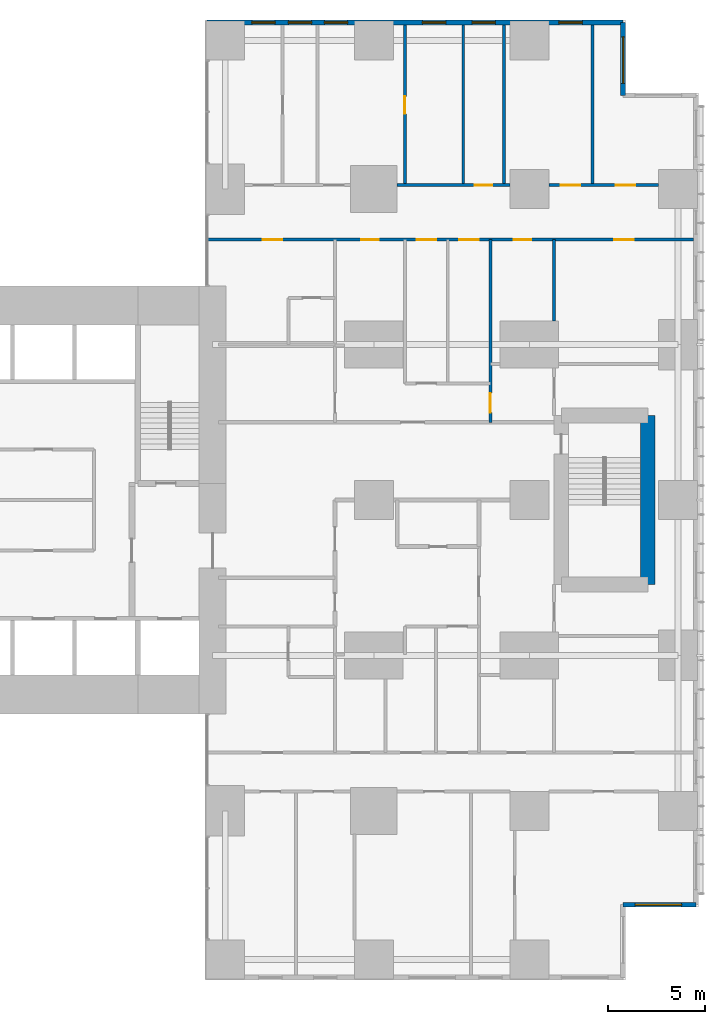
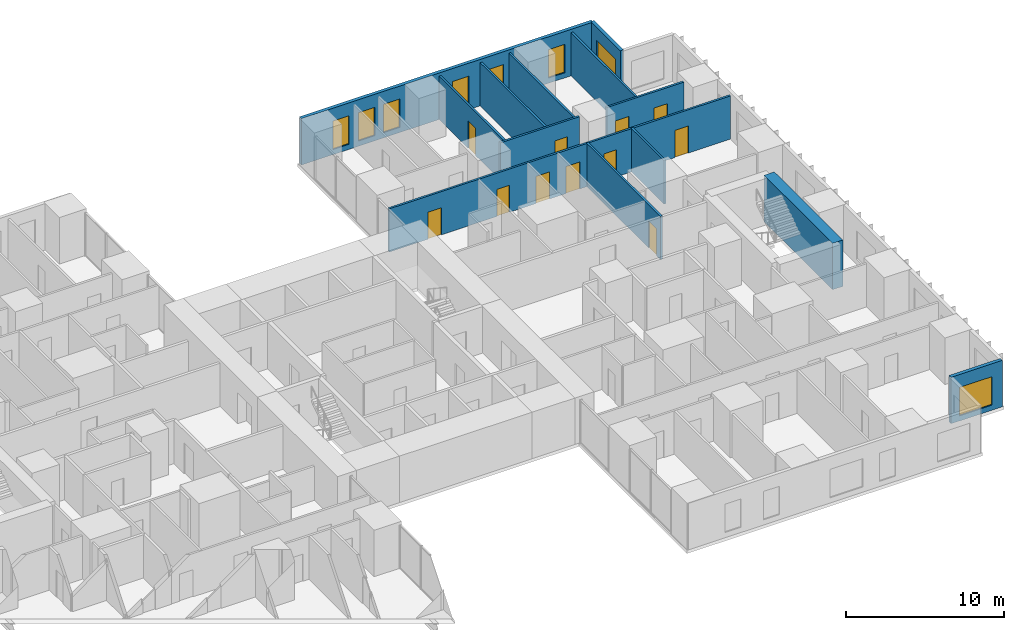
# One storey, part 18 of 20: 13 walls, 11 doors, 8 windows, 19 openings.
"""IFC4 building model written with IfcOpenShell, lengths in metres."""

import ifcopenshell
import ifcopenshell.guid

model = None  # the IFC model being written
_history = None  # IfcOwnerHistory: only IFC2X3 demands one
_inside = {}  # id of a spatial element -> (the spatial element, [elements in it])
_under = {}  # id of a project, library or spatial element -> (it, [spatial elements below it])
_declared = {}  # id of a project -> (the project, [libraries it declares])
_typed = {}  # id of a type object -> (the type object, [elements of that type])
_made_of = {}  # id of a material, layer set ... -> (it, [elements and type objects made of it])


def new_model(schema):
    """Start an empty IFC model of exactly this schema.

    Asked for "IFC4X3", IfcOpenShell would pick the latest addendum, in which some entities
    have other attributes; the version numbers below select the first issue.
    IFC2X3 requires an IfcOwnerHistory on every rooted entity: one is made here for all.
    """
    global model, _history
    if schema == "IFC4X3":
        model = ifcopenshell.file(schema_version=(4, 3, 0, 0))
    else:
        model = ifcopenshell.file(schema=schema)
    _inside.clear()
    _under.clear()
    _declared.clear()
    _typed.clear()
    _made_of.clear()
    _history = None
    if model.schema == "IFC2X3":
        org = make("IfcOrganization", Name="unknown")
        user = make(
            "IfcPersonAndOrganization",
            ThePerson=make("IfcPerson", FamilyName="unknown"),
            TheOrganization=org,
        )
        app = make(
            "IfcApplication",
            ApplicationDeveloper=org,
            Version="unknown",
            ApplicationFullName="unknown",
            ApplicationIdentifier="unknown",
        )
        _history = make(
            "IfcOwnerHistory",
            OwningUser=user,
            OwningApplication=app,
            ChangeAction="ADDED",
            CreationDate=0,
        )
    return model


def make(cls, **values):
    """One entity of the class cls with the attributes given. An attribute that is None is left unset."""
    return model.create_entity(
        cls, **{name: value for name, value in values.items() if value is not None}
    )


def rooted(cls, **values):
    """An entity with a GlobalId (a new one), such as an element, a storey or a relation."""
    return make(cls, GlobalId=ifcopenshell.guid.new(), OwnerHistory=_history, **values)


def si_unit(unit_type, name, prefix=None):
    """IfcSIUnit, for example si_unit("LENGTHUNIT", "METRE", prefix="MILLI")."""
    return make("IfcSIUnit", UnitType=unit_type, Prefix=prefix, Name=name)


def assignment(units):
    """IfcUnitAssignment: the units of a project."""
    return None if units is None else make("IfcUnitAssignment", Units=units)


def point(xyz):
    """IfcCartesianPoint."""
    return None if xyz is None else make("IfcCartesianPoint", Coordinates=xyz)


def direction(xyz):
    """IfcDirection."""
    return None if xyz is None else make("IfcDirection", DirectionRatios=xyz)


def frame(location, z_axis=None, x_axis=None):
    """IfcAxis2Placement3D, a coordinate frame: its origin and axes. An axis left out is left unset."""
    return make(
        "IfcAxis2Placement3D",
        Location=point(location),
        Axis=direction(z_axis),
        RefDirection=direction(x_axis),
    )


def frame_2d(location, x_axis=None):
    """IfcAxis2Placement2D, a coordinate frame in the plane: its origin and x axis."""
    return make(
        "IfcAxis2Placement2D", Location=point(location), RefDirection=direction(x_axis)
    )


def origin():
    """The frame at (0, 0, 0) with its axes left unset."""
    return frame((0.0, 0.0, 0.0))


def place(relative_to, where):
    """IfcLocalPlacement: puts the frame where relative to a parent placement (None: the world)."""
    return make(
        "IfcLocalPlacement", PlacementRelTo=relative_to, RelativePlacement=where
    )


def context(
    kind, dimensions, precision=None, world=None, true_north=None, identifier=None
):
    """IfcGeometricRepresentationContext, for example the 3D "Model" context."""
    return make(
        "IfcGeometricRepresentationContext",
        ContextIdentifier=identifier,
        ContextType=kind,
        CoordinateSpaceDimension=dimensions,
        Precision=precision,
        WorldCoordinateSystem=world,
        TrueNorth=true_north,
    )


def subcontext(parent, identifier, kind, view, scale=None):
    """IfcGeometricRepresentationSubContext, for example "Body" below "Model"."""
    return make(
        "IfcGeometricRepresentationSubContext",
        ContextIdentifier=identifier,
        ContextType=kind,
        ParentContext=parent,
        TargetScale=scale,
        TargetView=view,
    )


def project(units=None, contexts=None):
    """IfcProject with its units and contexts."""
    return rooted(
        "IfcProject",
        Name="project",
        RepresentationContexts=contexts,
        UnitsInContext=assignment(units),
    )


def spatial(cls, under=None, at=None, **own):
    """A site, building, storey or space (cls), placed at a placement, below another one or the project."""
    s = rooted(cls, ObjectPlacement=at, **own)
    if under is not None:
        _under.setdefault(under.id(), (under, []))[1].append(s)
    return s


def profile(cls, at=None, kind="AREA", **sizes):
    """A parametric profile (cls). Its sizes go by their IFC names, for example OverallWidth=200.0."""
    return make(cls, ProfileType=kind, Position=at, **sizes)


def rectangle(**sizes):
    """IfcRectangleProfileDef."""
    return profile("IfcRectangleProfileDef", **sizes)


def extrude(swept, where, along, depth):
    """IfcExtrudedAreaSolid: the profile swept, set in the frame where, extruded along a direction by depth."""
    return make(
        "IfcExtrudedAreaSolid",
        SweptArea=swept,
        Position=where,
        ExtrudedDirection=direction(along),
        Depth=depth,
    )


def shape(context_of_items, identifier, shape_type, items):
    """IfcShapeRepresentation: the items that make up one representation, for example the "Body"."""
    return make(
        "IfcShapeRepresentation",
        ContextOfItems=context_of_items,
        RepresentationIdentifier=identifier,
        RepresentationType=shape_type,
        Items=items,
    )


def material(Name=None, Category=None):
    """IfcMaterial."""
    return make("IfcMaterial", Name=Name, Category=Category)


def layer(
    of_material, thickness, ventilated=None, Name=None, Category=None, Priority=None
):
    """IfcMaterialLayer: one layer of a wall or slab, of a material (None: an air gap)."""
    return make(
        "IfcMaterialLayer",
        Material=of_material,
        LayerThickness=thickness,
        IsVentilated=ventilated,
        Name=Name,
        Category=Category,
        Priority=Priority,
    )


def layer_set(layers, Name=None):
    """IfcMaterialLayerSet."""
    return make("IfcMaterialLayerSet", MaterialLayers=layers, LayerSetName=Name)


def made_of(thing, what):
    """Note that an element or type object is made of a material, layer set ...; save() writes the relation."""
    if what is not None:
        _made_of.setdefault(what.id(), (what, []))[1].append(thing)
    return thing


def type_object(cls, material=None, **own):
    """A type object (cls), such as IfcWallType, which elements share."""
    return made_of(rooted(cls, **own), material)


def element(
    cls,
    number,
    at=None,
    inside=None,
    cuts=None,
    type_object=None,
    material=None,
    context=None,
    identifier="Body",
    shape_type=None,
    held_by="IfcProductDefinitionShape",
    body=None,
    shapes=None,
    **own,
):
    """One element of the class cls, such as IfcWall. Its Tag is "e" and its number.

    at: its placement. inside: the storey or other place that contains it. cuts: it is an
    opening in that element (IfcRelVoidsElement). A single representation is given by context,
    identifier, shape_type and body (its items); several are given by shapes. held_by: the class
    of the entity that holds the representations. save() writes the other relations.
    """
    e = rooted(cls, Tag="e%d" % number, ObjectPlacement=at, **own)
    if body is not None:
        shapes = [shape(context, identifier, shape_type, body)]
    if shapes is not None:
        e.Representation = make(held_by, Representations=shapes)
    if inside is not None:
        _inside.setdefault(inside.id(), (inside, []))[1].append(e)
    if cuts is not None:
        rooted(
            "IfcRelVoidsElement", RelatingBuildingElement=cuts, RelatedOpeningElement=e
        )
    if type_object is not None:
        _typed.setdefault(type_object.id(), (type_object, []))[1].append(e)
    return made_of(e, material)


def fill(opening, filler):
    """IfcRelFillsElement: the door or window that sits in an opening."""
    return rooted(
        "IfcRelFillsElement",
        RelatingOpeningElement=opening,
        RelatedBuildingElement=filler,
    )


def aggregate(whole, parts):
    """IfcRelAggregates: a whole, such as a stair, and the parts it consists of."""
    return rooted("IfcRelAggregates", RelatingObject=whole, RelatedObjects=parts)


def save(model, path):
    """Write the relations noted so far, then the file.

    IfcRelAggregates (storeys below a building ...), IfcRelContainedInSpatialStructure (elements
    in a storey), IfcRelDefinesByType, IfcRelAssociatesMaterial and IfcRelDeclares: one each for
    every whole, place, type object, material and project.
    """
    for whole, parts in _under.values():
        aggregate(whole, parts)
    for where, things in _inside.values():
        rooted(
            "IfcRelContainedInSpatialStructure",
            RelatedElements=things,
            RelatingStructure=where,
        )
    for kind, things in _typed.values():
        rooted("IfcRelDefinesByType", RelatedObjects=things, RelatingType=kind)
    for what, things in _made_of.values():
        rooted("IfcRelAssociatesMaterial", RelatedObjects=things, RelatingMaterial=what)
    for by, libraries in _declared.values():
        rooted("IfcRelDeclares", RelatingContext=by, RelatedDefinitions=libraries)
    model.write(path)


model = new_model("IFC4")

# Units and contexts
model_context = context("Model", 3, precision=1e-05, world=origin(), true_north=direction((0.0, 1.0)))
body_context = subcontext(model_context, "Body", "Model", "MODEL_VIEW")
ifc_project = project(units=[si_unit("LENGTHUNIT", "METRE"), si_unit("AREAUNIT", "SQUARE_METRE"), si_unit("VOLUMEUNIT", "CUBIC_METRE"), si_unit("PLANEANGLEUNIT", "RADIAN"), si_unit("MASSUNIT", "GRAM", prefix="KILO")], contexts=[model_context])

# Site, building, storey
site_placement = place(None, origin())
site = spatial("IfcSite", under=ifc_project, at=site_placement, CompositionType="ELEMENT")
building_placement = place(site_placement, origin())
building = spatial("IfcBuilding", under=site, at=building_placement, Name="Cleftline Residences", CompositionType="ELEMENT")
storey_placement = place(building_placement, frame((0.0, 0.0, 157.39990234375)))
storey = spatial("IfcBuildingStorey", under=building, at=storey_placement, Name="L41", CompositionType="ELEMENT", Elevation=157.39990234375)

# Wall, opening, window
ifc_material_1 = material(Name="Rendered reinforced concrete blockwork", Category="masonry")
ifc_layer_1 = layer(ifc_material_1, 0.25)
ifc_layer_set_1 = layer_set([ifc_layer_1], Name="EXTERNAL WALL 250")
wall_type_1 = type_object("IfcWallType", Name="EXTERNAL WALL 250", PredefinedType="SOLIDWALL", material=ifc_layer_set_1)
wall_1_placement = place(storey_placement, frame((62.824951171875, 3.175048828125, 0.0), z_axis=(0.0, 0.0, 1.0), x_axis=(1.0, 0.0, 0.0)))
wall_1 = element("IfcWall", 1, at=wall_1_placement, inside=storey, type_object=wall_type_1, Name="External wall", PredefinedType="SOLIDWALL", context=body_context, shape_type="SweptSolid", body=[
    extrude(rectangle(XDim=3.75, YDim=0.25, at=frame_2d((1.875, 0.0))), origin(), (0.0, 0.0, 1.0), 3.60009765625),
])
opening_1_placement = place(wall_1_placement, frame((0.612548828125, 0.0, 0.39990234375)))
opening_1 = element("IfcOpeningElement", 2, at=opening_1_placement, cuts=wall_1, Name="Opening W12", PredefinedType="OPENING", context=body_context, shape_type="SweptSolid", body=[
    extrude(rectangle(XDim=2.39990234375, YDim=2.199951171875, at=frame_2d((1.199951171875, 1.10009765625))), frame((0.0, 0.135009765625, 0.0), z_axis=(0.0, -1.0, 0.0), x_axis=(1.0, 0.0, 0.0)), (0.0, 0.0, 1.0), 0.27001953125),
])
ifc_material_2 = material(Name="Aluminium frame, clear double glazing", Category="aluminium")
window_type_1 = type_object("IfcWindowType", Name="WINDOW 2400X2200", PartitioningType="DOUBLE_PANEL_VERTICAL", PredefinedType="WINDOW", material=ifc_material_2)
window_1_placement = place(opening_1_placement, origin())
window_1 = element("IfcWindow", 3, at=window_1_placement, inside=storey, type_object=window_type_1, Name="Window", OverallHeight=2.199951171875, OverallWidth=2.39990234375, PartitioningType="SINGLE_PANEL", PredefinedType="WINDOW", context=body_context, shape_type="SweptSolid", body=[
    extrude(rectangle(XDim=2.39990234375, YDim=2.199951171875, at=frame_2d((1.199951171875, 1.10009765625))), frame((0.0, 0.030029296875, 0.0), z_axis=(0.0, -1.0, 0.0), x_axis=(1.0, 0.0, 0.0)), (0.0, 0.0, 1.0), 0.06005859375),
])
fill(opening_1, window_1)

wall_2_placement = place(storey_placement, frame((62.824951171875, 44.824951171875, 0.0), z_axis=(0.0, 0.0, 1.0), x_axis=(0.0, 1.0, 0.0)))
wall_2 = element("IfcWall", 4, at=wall_2_placement, inside=storey, type_object=wall_type_1, Name="External wall", PredefinedType="SOLIDWALL", context=body_context, shape_type="SweptSolid", body=[
    extrude(rectangle(XDim=3.75, YDim=0.25, at=frame_2d((1.875, 0.0))), origin(), (0.0, 0.0, 1.0), 3.60009765625),
])
opening_2_placement = place(wall_2_placement, frame((0.612548828125, 0.0, 0.39990234375)))
opening_2 = element("IfcOpeningElement", 5, at=opening_2_placement, cuts=wall_2, Name="Opening W12", PredefinedType="OPENING", context=body_context, shape_type="SweptSolid", body=[
    extrude(rectangle(XDim=2.39990234375, YDim=2.199951171875, at=frame_2d((1.199951171875, 1.10009765625))), frame((0.0, 0.135009765625, 0.0), z_axis=(0.0, -1.0, 0.0), x_axis=(1.0, 0.0, 0.0)), (0.0, 0.0, 1.0), 0.27001953125),
])
window_2_placement = place(opening_2_placement, origin())
window_2 = element("IfcWindow", 6, at=window_2_placement, inside=storey, type_object=window_type_1, Name="Window", OverallHeight=2.199951171875, OverallWidth=2.39990234375, PartitioningType="SINGLE_PANEL", PredefinedType="WINDOW", context=body_context, shape_type="SweptSolid", body=[
    extrude(rectangle(XDim=2.39990234375, YDim=2.199951171875, at=frame_2d((1.199951171875, 1.10009765625))), frame((0.0, 0.030029296875, 0.0), z_axis=(0.0, -1.0, 0.0), x_axis=(1.0, 0.0, 0.0)), (0.0, 0.0, 1.0), 0.06005859375),
])
fill(opening_2, window_2)

# Wall, openings, windows
wall_3_placement = place(storey_placement, frame((62.824951171875, 48.574951171875, 0.0), z_axis=(0.0, 0.0, 1.0), x_axis=(-1.0, 0.0, 0.0)))
wall_3 = element("IfcWall", 7, at=wall_3_placement, inside=storey, type_object=wall_type_1, Name="External wall", PredefinedType="SOLIDWALL", context=body_context, shape_type="SweptSolid", body=[
    extrude(rectangle(XDim=21.39990234375, YDim=0.25, at=frame_2d((10.699951171875, 0.0))), origin(), (0.0, 0.0, 1.0), 3.60009765625),
])
opening_3_placement = place(wall_3_placement, frame((2.10009765625, 0.0, 0.39990234375)))
opening_3 = element("IfcOpeningElement", 8, at=opening_3_placement, cuts=wall_3, Name="Opening W11", PredefinedType="OPENING", context=body_context, shape_type="SweptSolid", body=[
    extrude(rectangle(XDim=1.199951171875, YDim=2.199951171875, at=frame_2d((0.60009765625, 1.10009765625))), frame((0.0, 0.135009765625, 0.0), z_axis=(0.0, -1.0, 0.0), x_axis=(1.0, 0.0, 0.0)), (0.0, 0.0, 1.0), 0.27001953125),
])
opening_4_placement = place(wall_3_placement, frame((6.574951171875, 0.0, 0.39990234375)))
opening_4 = element("IfcOpeningElement", 9, at=opening_4_placement, cuts=wall_3, Name="Opening W11", PredefinedType="OPENING", context=body_context, shape_type="SweptSolid", body=[
    extrude(rectangle(XDim=1.199951171875, YDim=2.199951171875, at=frame_2d((0.60009765625, 1.10009765625))), frame((0.0, 0.135009765625, 0.0), z_axis=(0.0, -1.0, 0.0), x_axis=(1.0, 0.0, 0.0)), (0.0, 0.0, 1.0), 0.27001953125),
])
opening_5_placement = place(wall_3_placement, frame((9.125, 0.0, 0.39990234375)))
opening_5 = element("IfcOpeningElement", 10, at=opening_5_placement, cuts=wall_3, Name="Opening W11", PredefinedType="OPENING", context=body_context, shape_type="SweptSolid", body=[
    extrude(rectangle(XDim=1.199951171875, YDim=2.199951171875, at=frame_2d((0.60009765625, 1.10009765625))), frame((0.0, 0.135009765625, 0.0), z_axis=(0.0, -1.0, 0.0), x_axis=(1.0, 0.0, 0.0)), (0.0, 0.0, 1.0), 0.27001953125),
])
opening_6_placement = place(wall_3_placement, frame((14.175048828125, 0.0, 0.39990234375)))
opening_6 = element("IfcOpeningElement", 11, at=opening_6_placement, cuts=wall_3, Name="Opening W11", PredefinedType="OPENING", context=body_context, shape_type="SweptSolid", body=[
    extrude(rectangle(XDim=1.199951171875, YDim=2.199951171875, at=frame_2d((0.60009765625, 1.10009765625))), frame((0.0, 0.135009765625, 0.0), z_axis=(0.0, -1.0, 0.0), x_axis=(1.0, 0.0, 0.0)), (0.0, 0.0, 1.0), 0.27001953125),
])
opening_7_placement = place(wall_3_placement, frame((16.02490234375, 0.0, 0.39990234375)))
opening_7 = element("IfcOpeningElement", 12, at=opening_7_placement, cuts=wall_3, Name="Opening W11", PredefinedType="OPENING", context=body_context, shape_type="SweptSolid", body=[
    extrude(rectangle(XDim=1.199951171875, YDim=2.199951171875, at=frame_2d((0.60009765625, 1.10009765625))), frame((0.0, 0.135009765625, 0.0), z_axis=(0.0, -1.0, 0.0), x_axis=(1.0, 0.0, 0.0)), (0.0, 0.0, 1.0), 0.27001953125),
])
opening_8_placement = place(wall_3_placement, frame((17.89990234375, 0.0, 0.39990234375)))
opening_8 = element("IfcOpeningElement", 13, at=opening_8_placement, cuts=wall_3, Name="Opening W11", PredefinedType="OPENING", context=body_context, shape_type="SweptSolid", body=[
    extrude(rectangle(XDim=1.199951171875, YDim=2.199951171875, at=frame_2d((0.60009765625, 1.10009765625))), frame((0.0, 0.135009765625, 0.0), z_axis=(0.0, -1.0, 0.0), x_axis=(1.0, 0.0, 0.0)), (0.0, 0.0, 1.0), 0.27001953125),
])
ifc_material_3 = material(Name="Aluminium frame, clear double glazing", Category="aluminium")
window_type_2 = type_object("IfcWindowType", Name="WINDOW 1200X2200", PartitioningType="DOUBLE_PANEL_VERTICAL", PredefinedType="WINDOW", material=ifc_material_3)
window_3_placement = place(opening_3_placement, origin())
window_3 = element("IfcWindow", 14, at=window_3_placement, inside=storey, type_object=window_type_2, Name="Window", OverallHeight=2.199951171875, OverallWidth=1.199951171875, PartitioningType="SINGLE_PANEL", PredefinedType="WINDOW", context=body_context, shape_type="SweptSolid", body=[
    extrude(rectangle(XDim=1.199951171875, YDim=2.199951171875, at=frame_2d((0.60009765625, 1.10009765625))), frame((0.0, 0.030029296875, 0.0), z_axis=(0.0, -1.0, 0.0), x_axis=(1.0, 0.0, 0.0)), (0.0, 0.0, 1.0), 0.06005859375),
])
fill(opening_3, window_3)
window_4_placement = place(opening_4_placement, origin())
window_4 = element("IfcWindow", 15, at=window_4_placement, inside=storey, type_object=window_type_2, Name="Window", OverallHeight=2.199951171875, OverallWidth=1.199951171875, PartitioningType="SINGLE_PANEL", PredefinedType="WINDOW", context=body_context, shape_type="SweptSolid", body=[
    extrude(rectangle(XDim=1.199951171875, YDim=2.199951171875, at=frame_2d((0.60009765625, 1.10009765625))), frame((0.0, 0.030029296875, 0.0), z_axis=(0.0, -1.0, 0.0), x_axis=(1.0, 0.0, 0.0)), (0.0, 0.0, 1.0), 0.06005859375),
])
fill(opening_4, window_4)
window_5_placement = place(opening_5_placement, origin())
window_5 = element("IfcWindow", 16, at=window_5_placement, inside=storey, type_object=window_type_2, Name="Window", OverallHeight=2.199951171875, OverallWidth=1.199951171875, PartitioningType="SINGLE_PANEL", PredefinedType="WINDOW", context=body_context, shape_type="SweptSolid", body=[
    extrude(rectangle(XDim=1.199951171875, YDim=2.199951171875, at=frame_2d((0.60009765625, 1.10009765625))), frame((0.0, 0.030029296875, 0.0), z_axis=(0.0, -1.0, 0.0), x_axis=(1.0, 0.0, 0.0)), (0.0, 0.0, 1.0), 0.06005859375),
])
fill(opening_5, window_5)
window_6_placement = place(opening_6_placement, origin())
window_6 = element("IfcWindow", 17, at=window_6_placement, inside=storey, type_object=window_type_2, Name="Window", OverallHeight=2.199951171875, OverallWidth=1.199951171875, PartitioningType="SINGLE_PANEL", PredefinedType="WINDOW", context=body_context, shape_type="SweptSolid", body=[
    extrude(rectangle(XDim=1.199951171875, YDim=2.199951171875, at=frame_2d((0.60009765625, 1.10009765625))), frame((0.0, 0.030029296875, 0.0), z_axis=(0.0, -1.0, 0.0), x_axis=(1.0, 0.0, 0.0)), (0.0, 0.0, 1.0), 0.06005859375),
])
fill(opening_6, window_6)
window_7_placement = place(opening_7_placement, origin())
window_7 = element("IfcWindow", 18, at=window_7_placement, inside=storey, type_object=window_type_2, Name="Window", OverallHeight=2.199951171875, OverallWidth=1.199951171875, PartitioningType="SINGLE_PANEL", PredefinedType="WINDOW", context=body_context, shape_type="SweptSolid", body=[
    extrude(rectangle(XDim=1.199951171875, YDim=2.199951171875, at=frame_2d((0.60009765625, 1.10009765625))), frame((0.0, 0.030029296875, 0.0), z_axis=(0.0, -1.0, 0.0), x_axis=(1.0, 0.0, 0.0)), (0.0, 0.0, 1.0), 0.06005859375),
])
fill(opening_7, window_7)
window_8_placement = place(opening_8_placement, origin())
window_8 = element("IfcWindow", 19, at=window_8_placement, inside=storey, type_object=window_type_2, Name="Window", OverallHeight=2.199951171875, OverallWidth=1.199951171875, PartitioningType="SINGLE_PANEL", PredefinedType="WINDOW", context=body_context, shape_type="SweptSolid", body=[
    extrude(rectangle(XDim=1.199951171875, YDim=2.199951171875, at=frame_2d((0.60009765625, 1.10009765625))), frame((0.0, 0.030029296875, 0.0), z_axis=(0.0, -1.0, 0.0), x_axis=(1.0, 0.0, 0.0)), (0.0, 0.0, 1.0), 0.06005859375),
])
fill(opening_8, window_8)

# Wall, openings, doors
ifc_material_4 = material(Name="Gypsum board on steel studs", Category="steel")
ifc_layer_2 = layer(ifc_material_4, 0.14990234375)
ifc_layer_set_2 = layer_set([ifc_layer_2], Name="PARTITION 150")
wall_type_2 = type_object("IfcWallType", Name="PARTITION 150", PredefinedType="PARTITIONING", material=ifc_layer_set_2)
wall_4_placement = place(storey_placement, frame((41.43896484375, 37.39990234375, 0.0), z_axis=(0.0, 0.0, 1.0), x_axis=(1.0, 0.0, 0.0)))
wall_4 = element("IfcWall", 20, at=wall_4_placement, inside=storey, type_object=wall_type_2, Name="Partition", PredefinedType="PARTITIONING", context=body_context, shape_type="SweptSolid", body=[
    extrude(rectangle(XDim=25.010986328125, YDim=0.14990234375, at=frame_2d((12.50537109375, 0.0))), origin(), (0.0, 0.0, 1.0), 3.35009765625),
])
opening_9_placement = place(wall_4_placement, frame((10.760986328125, 0.0, 0.0)))
opening_9 = element("IfcOpeningElement", 21, at=opening_9_placement, cuts=wall_4, Name="Opening D2F30", PredefinedType="OPENING", context=body_context, shape_type="SweptSolid", body=[
    extrude(rectangle(XDim=1.0, YDim=2.10009765625, at=frame_2d((0.5, 1.050048828125))), frame((0.0, 0.0849609375, 0.0), z_axis=(0.0, -1.0, 0.0), x_axis=(1.0, 0.0, 0.0)), (0.0, 0.0, 1.0), 0.169921875),
])
opening_10_placement = place(wall_4_placement, frame((20.923583984375, 0.0, 0.0)))
opening_10 = element("IfcOpeningElement", 22, at=opening_10_placement, cuts=wall_4, Name="Opening D2F30", PredefinedType="OPENING", context=body_context, shape_type="SweptSolid", body=[
    extrude(rectangle(XDim=1.0, YDim=2.10009765625, at=frame_2d((0.5, 1.050048828125))), frame((0.0, 0.0849609375, 0.0), z_axis=(0.0, -1.0, 0.0), x_axis=(1.0, 0.0, 0.0)), (0.0, 0.0, 1.0), 0.169921875),
])
opening_11_placement = place(wall_4_placement, frame((15.74853515625, 0.0, 0.0)))
opening_11 = element("IfcOpeningElement", 23, at=opening_11_placement, cuts=wall_4, Name="Opening D1F30", PredefinedType="OPENING", context=body_context, shape_type="SweptSolid", body=[
    extrude(rectangle(XDim=0.89990234375, YDim=2.10009765625, at=frame_2d((0.449951171875, 1.050048828125))), frame((0.0, 0.0849609375, 0.0), z_axis=(0.0, -1.0, 0.0), x_axis=(1.0, 0.0, 0.0)), (0.0, 0.0, 1.0), 0.169921875),
])
opening_12_placement = place(wall_4_placement, frame((12.9609375, 0.0, 0.0)))
opening_12 = element("IfcOpeningElement", 24, at=opening_12_placement, cuts=wall_4, Name="Opening D2F30", PredefinedType="OPENING", context=body_context, shape_type="SweptSolid", body=[
    extrude(rectangle(XDim=1.0, YDim=2.10009765625, at=frame_2d((0.5, 1.050048828125))), frame((0.0, 0.0849609375, 0.0), z_axis=(0.0, -1.0, 0.0), x_axis=(1.0, 0.0, 0.0)), (0.0, 0.0, 1.0), 0.169921875),
])
opening_13_placement = place(wall_4_placement, frame((7.910888671875, 0.0, 0.0)))
opening_13 = element("IfcOpeningElement", 25, at=opening_13_placement, cuts=wall_4, Name="Opening D1F30", PredefinedType="OPENING", context=body_context, shape_type="SweptSolid", body=[
    extrude(rectangle(XDim=0.89990234375, YDim=2.10009765625, at=frame_2d((0.449951171875, 1.050048828125))), frame((0.0, 0.0849609375, 0.0), z_axis=(0.0, -1.0, 0.0), x_axis=(1.0, 0.0, 0.0)), (0.0, 0.0, 1.0), 0.169921875),
])
opening_14_placement = place(wall_4_placement, frame((2.8359375, 0.0, 0.0)))
opening_14 = element("IfcOpeningElement", 26, at=opening_14_placement, cuts=wall_4, Name="Opening D2F30", PredefinedType="OPENING", context=body_context, shape_type="SweptSolid", body=[
    extrude(rectangle(XDim=1.0, YDim=2.10009765625, at=frame_2d((0.5, 1.050048828125))), frame((0.0, 0.0849609375, 0.0), z_axis=(0.0, -1.0, 0.0), x_axis=(1.0, 0.0, 0.0)), (0.0, 0.0, 1.0), 0.169921875),
])
ifc_material_5 = material(Name="Timber veneer on solid core", Category="wood")
door_type_1 = type_object("IfcDoorType", Name="DOOR 1000X2100 EI 30", OperationType="SINGLE_SWING_LEFT", PredefinedType="DOOR", material=ifc_material_5)
door_1_placement = place(opening_9_placement, origin())
door_1 = element("IfcDoor", 27, at=door_1_placement, inside=storey, type_object=door_type_1, Name="Door to residence corridor (bedrooms)", OperationType="SINGLE_SWING_RIGHT", OverallHeight=2.10009765625, OverallWidth=1.0, PredefinedType="DOOR", context=body_context, shape_type="SweptSolid", body=[
    extrude(rectangle(XDim=1.0, YDim=2.10009765625, at=frame_2d((0.5, 1.050048828125))), frame((0.0, 0.02490234375, 0.0), z_axis=(0.0, -1.0, 0.0), x_axis=(1.0, 0.0, 0.0)), (0.0, 0.0, 1.0), 0.050048828125),
])
fill(opening_9, door_1)
door_2_placement = place(opening_10_placement, origin())
door_2 = element("IfcDoor", 28, at=door_2_placement, inside=storey, type_object=door_type_1, Name="Door to master bedroom", OperationType="SINGLE_SWING_LEFT", OverallHeight=2.10009765625, OverallWidth=1.0, PredefinedType="DOOR", context=body_context, shape_type="SweptSolid", body=[
    extrude(rectangle(XDim=1.0, YDim=2.10009765625, at=frame_2d((0.5, 1.050048828125))), frame((0.0, 0.02490234375, 0.0), z_axis=(0.0, -1.0, 0.0), x_axis=(1.0, 0.0, 0.0)), (0.0, 0.0, 1.0), 0.050048828125),
])
fill(opening_10, door_2)
door_3_placement = place(opening_12_placement, origin())
door_3 = element("IfcDoor", 29, at=door_3_placement, inside=storey, type_object=door_type_1, Name="Door to media room", OperationType="SINGLE_SWING_LEFT", OverallHeight=2.10009765625, OverallWidth=1.0, PredefinedType="DOOR", context=body_context, shape_type="SweptSolid", body=[
    extrude(rectangle(XDim=1.0, YDim=2.10009765625, at=frame_2d((0.5, 1.050048828125))), frame((0.0, 0.02490234375, 0.0), z_axis=(0.0, -1.0, 0.0), x_axis=(1.0, 0.0, 0.0)), (0.0, 0.0, 1.0), 0.050048828125),
])
fill(opening_12, door_3)
door_4_placement = place(opening_14_placement, origin())
door_4 = element("IfcDoor", 30, at=door_4_placement, inside=storey, type_object=door_type_1, Name="Door to staff bedroom", OperationType="SINGLE_SWING_RIGHT", OverallHeight=2.10009765625, OverallWidth=1.0, PredefinedType="DOOR", context=body_context, shape_type="SweptSolid", body=[
    extrude(rectangle(XDim=1.0, YDim=2.10009765625, at=frame_2d((0.5, 1.050048828125))), frame((0.0, 0.02490234375, 0.0), z_axis=(0.0, -1.0, 0.0), x_axis=(1.0, 0.0, 0.0)), (0.0, 0.0, 1.0), 0.050048828125),
])
fill(opening_14, door_4)
ifc_material_6 = material(Name="Timber veneer on solid core", Category="wood")
door_type_2 = type_object("IfcDoorType", Name="DOOR 900X2100 EI 30", OperationType="SINGLE_SWING_LEFT", PredefinedType="DOOR", material=ifc_material_6)
door_5_placement = place(opening_11_placement, origin())
door_5 = element("IfcDoor", 31, at=door_5_placement, inside=storey, type_object=door_type_2, Name="Door to master bathroom", OperationType="SINGLE_SWING_LEFT", OverallHeight=2.10009765625, OverallWidth=0.89990234375, PredefinedType="DOOR", context=body_context, shape_type="SweptSolid", body=[
    extrude(rectangle(XDim=0.89990234375, YDim=2.10009765625, at=frame_2d((0.449951171875, 1.050048828125))), frame((0.0, 0.02490234375, 0.0), z_axis=(0.0, -1.0, 0.0), x_axis=(1.0, 0.0, 0.0)), (0.0, 0.0, 1.0), 0.050048828125),
])
fill(opening_11, door_5)
door_6_placement = place(opening_13_placement, origin())
door_6 = element("IfcDoor", 32, at=door_6_placement, inside=storey, type_object=door_type_2, Name="Door to master dressing room", OperationType="SINGLE_SWING_RIGHT", OverallHeight=2.10009765625, OverallWidth=0.89990234375, PredefinedType="DOOR", context=body_context, shape_type="SweptSolid", body=[
    extrude(rectangle(XDim=0.89990234375, YDim=2.10009765625, at=frame_2d((0.449951171875, 1.050048828125))), frame((0.0, 0.02490234375, 0.0), z_axis=(0.0, -1.0, 0.0), x_axis=(1.0, 0.0, 0.0)), (0.0, 0.0, 1.0), 0.050048828125),
])
fill(opening_13, door_6)

# Wall, opening, door
wall_5_placement = place(storey_placement, frame((51.199951171875, 40.199951171875, 0.0), z_axis=(0.0, 0.0, 1.0), x_axis=(1.0, 0.0, 0.0)))
wall_5 = element("IfcWall", 33, at=wall_5_placement, inside=storey, type_object=wall_type_2, Name="Partition", PredefinedType="PARTITIONING", context=body_context, shape_type="SweptSolid", body=[
    extrude(rectangle(XDim=5.800048828125, YDim=0.14990234375, at=frame_2d((2.89990234375, 0.0))), origin(), (0.0, 0.0, 1.0), 3.35009765625),
])
opening_15_placement = place(wall_5_placement, frame((4.0, 0.0, 0.0)))
opening_15 = element("IfcOpeningElement", 34, at=opening_15_placement, cuts=wall_5, Name="Opening D1", PredefinedType="OPENING", context=body_context, shape_type="SweptSolid", body=[
    extrude(rectangle(XDim=0.89990234375, YDim=2.10009765625, at=frame_2d((0.449951171875, 1.050048828125))), frame((0.0, 0.0849609375, 0.0), z_axis=(0.0, -1.0, 0.0), x_axis=(1.0, 0.0, 0.0)), (0.0, 0.0, 1.0), 0.169921875),
])
ifc_material_7 = material(Name="Timber veneer on solid core", Category="wood")
door_type_3 = type_object("IfcDoorType", Name="DOOR 900X2100", OperationType="SINGLE_SWING_LEFT", PredefinedType="DOOR", material=ifc_material_7)
door_7_placement = place(opening_15_placement, origin())
door_7 = element("IfcDoor", 35, at=door_7_placement, inside=storey, type_object=door_type_3, Name="Door to bedroom 2 bathroom", OperationType="SINGLE_SWING_LEFT", OverallHeight=2.10009765625, OverallWidth=0.89990234375, PredefinedType="DOOR", context=body_context, shape_type="SweptSolid", body=[
    extrude(rectangle(XDim=0.89990234375, YDim=2.10009765625, at=frame_2d((0.449951171875, 1.050048828125))), frame((0.0, 0.02490234375, 0.0), z_axis=(0.0, -1.0, 0.0), x_axis=(1.0, 0.0, 0.0)), (0.0, 0.0, 1.0), 0.050048828125),
])
fill(opening_15, door_7)

# Wall, openings, doors
wall_6_placement = place(storey_placement, frame((59.0, 40.199951171875, 0.0), z_axis=(0.0, 0.0, 1.0), x_axis=(1.0, 0.0, 0.0)))
wall_6 = element("IfcWall", 36, at=wall_6_placement, inside=storey, type_object=wall_type_2, Name="Partition", PredefinedType="PARTITIONING", context=body_context, shape_type="SweptSolid", body=[
    extrude(rectangle(XDim=5.64990234375, YDim=0.14990234375, at=frame_2d((2.824951171875, 0.0))), origin(), (0.0, 0.0, 1.0), 3.35009765625),
])
opening_16_placement = place(wall_6_placement, frame((3.449951171875, 0.0, 0.0)))
opening_16 = element("IfcOpeningElement", 37, at=opening_16_placement, cuts=wall_6, Name="Opening D2", PredefinedType="OPENING", context=body_context, shape_type="SweptSolid", body=[
    extrude(rectangle(XDim=1.0, YDim=2.10009765625, at=frame_2d((0.5, 1.050048828125))), frame((0.0, 0.0849609375, 0.0), z_axis=(0.0, -1.0, 0.0), x_axis=(1.0, 0.0, 0.0)), (0.0, 0.0, 1.0), 0.169921875),
])
opening_17_placement = place(wall_6_placement, frame((0.625, 0.0, 0.0)))
opening_17 = element("IfcOpeningElement", 38, at=opening_17_placement, cuts=wall_6, Name="Opening D2", PredefinedType="OPENING", context=body_context, shape_type="SweptSolid", body=[
    extrude(rectangle(XDim=1.0, YDim=2.10009765625, at=frame_2d((0.5, 1.050048828125))), frame((0.0, 0.0849609375, 0.0), z_axis=(0.0, -1.0, 0.0), x_axis=(1.0, 0.0, 0.0)), (0.0, 0.0, 1.0), 0.169921875),
])
ifc_material_8 = material(Name="Timber veneer on solid core", Category="wood")
door_type_4 = type_object("IfcDoorType", Name="DOOR 1000X2100", OperationType="SINGLE_SWING_LEFT", PredefinedType="DOOR", material=ifc_material_8)
door_8_placement = place(opening_16_placement, origin())
door_8 = element("IfcDoor", 39, at=door_8_placement, inside=storey, type_object=door_type_4, Name="Door to bedroom 2 sitting room", OperationType="SINGLE_SWING_LEFT", OverallHeight=2.10009765625, OverallWidth=1.0, PredefinedType="DOOR", context=body_context, shape_type="SweptSolid", body=[
    extrude(rectangle(XDim=1.0, YDim=2.10009765625, at=frame_2d((0.5, 1.050048828125))), frame((0.0, 0.02490234375, 0.0), z_axis=(0.0, -1.0, 0.0), x_axis=(1.0, 0.0, 0.0)), (0.0, 0.0, 1.0), 0.050048828125),
])
fill(opening_16, door_8)
door_9_placement = place(opening_17_placement, origin())
door_9 = element("IfcDoor", 40, at=door_9_placement, inside=storey, type_object=door_type_4, Name="Door to bedroom 2", OperationType="SINGLE_SWING_RIGHT", OverallHeight=2.10009765625, OverallWidth=1.0, PredefinedType="DOOR", context=body_context, shape_type="SweptSolid", body=[
    extrude(rectangle(XDim=1.0, YDim=2.10009765625, at=frame_2d((0.5, 1.050048828125))), frame((0.0, 0.02490234375, 0.0), z_axis=(0.0, -1.0, 0.0), x_axis=(1.0, 0.0, 0.0)), (0.0, 0.0, 1.0), 0.050048828125),
])
fill(opening_17, door_9)

# Wall, opening, door
wall_7_placement = place(storey_placement, frame((51.60009765625, 40.199951171875, 0.0), z_axis=(0.0, 0.0, 1.0), x_axis=(0.0, 1.0, 0.0)))
wall_7 = element("IfcWall", 41, at=wall_7_placement, inside=storey, type_object=wall_type_2, Name="Partition", PredefinedType="PARTITIONING", context=body_context, shape_type="SweptSolid", body=[
    extrude(rectangle(XDim=8.25, YDim=0.14990234375, at=frame_2d((4.125, 0.0))), origin(), (0.0, 0.0, 1.0), 3.35009765625),
])
opening_18_placement = place(wall_7_placement, frame((3.675048828125, 0.0, 0.0)))
opening_18 = element("IfcOpeningElement", 42, at=opening_18_placement, cuts=wall_7, Name="Opening D1", PredefinedType="OPENING", context=body_context, shape_type="SweptSolid", body=[
    extrude(rectangle(XDim=0.89990234375, YDim=2.10009765625, at=frame_2d((0.449951171875, 1.050048828125))), frame((0.0, 0.0849609375, 0.0), z_axis=(0.0, -1.0, 0.0), x_axis=(1.0, 0.0, 0.0)), (0.0, 0.0, 1.0), 0.169921875),
])
door_10_placement = place(opening_18_placement, origin())
door_10 = element("IfcDoor", 43, at=door_10_placement, inside=storey, type_object=door_type_3, Name="Door to en-suite bathroom 3", OperationType="SINGLE_SWING_LEFT", OverallHeight=2.10009765625, OverallWidth=0.89990234375, PredefinedType="DOOR", context=body_context, shape_type="SweptSolid", body=[
    extrude(rectangle(XDim=0.89990234375, YDim=2.10009765625, at=frame_2d((0.449951171875, 1.050048828125))), frame((0.0, 0.02490234375, 0.0), z_axis=(0.0, -1.0, 0.0), x_axis=(1.0, 0.0, 0.0)), (0.0, 0.0, 1.0), 0.050048828125),
])
fill(opening_18, door_10)

# Wall
wall_8_placement = place(storey_placement, frame((54.60009765625, 40.199951171875, 0.0), z_axis=(0.0, 0.0, 1.0), x_axis=(0.0, 1.0, 0.0)))
element("IfcWall", 44, at=wall_8_placement, inside=storey, type_object=wall_type_2, Name="Partition", PredefinedType="PARTITIONING", context=body_context, shape_type="SweptSolid", body=[
    extrude(rectangle(XDim=8.25, YDim=0.14990234375, at=frame_2d((4.125, 0.0))), origin(), (0.0, 0.0, 1.0), 3.35009765625),
])

# Wall, opening, door
wall_9_placement = place(storey_placement, frame((56.0, 28.0, 0.0), z_axis=(0.0, 0.0, 1.0), x_axis=(0.0, 1.0, 0.0)))
wall_9 = element("IfcWall", 45, at=wall_9_placement, inside=storey, type_object=wall_type_2, Name="Partition", PredefinedType="PARTITIONING", context=body_context, shape_type="SweptSolid", body=[
    extrude(rectangle(XDim=9.39990234375, YDim=0.14990234375, at=frame_2d((4.699951171875, 0.0))), origin(), (0.0, 0.0, 1.0), 3.35009765625),
])
opening_19_placement = place(wall_9_placement, frame((0.5, 0.0, 0.0)))
opening_19 = element("IfcOpeningElement", 46, at=opening_19_placement, cuts=wall_9, Name="Opening D2F30", PredefinedType="OPENING", context=body_context, shape_type="SweptSolid", body=[
    extrude(rectangle(XDim=1.0, YDim=2.10009765625, at=frame_2d((0.5, 1.050048828125))), frame((0.0, 0.0849609375, 0.0), z_axis=(0.0, -1.0, 0.0), x_axis=(1.0, 0.0, 0.0)), (0.0, 0.0, 1.0), 0.169921875),
])
door_11_placement = place(opening_19_placement, origin())
door_11 = element("IfcDoor", 47, at=door_11_placement, inside=storey, type_object=door_type_1, Name="Door to residence lobby (service)", OperationType="SINGLE_SWING_RIGHT", OverallHeight=2.10009765625, OverallWidth=1.0, PredefinedType="DOOR", context=body_context, shape_type="SweptSolid", body=[
    extrude(rectangle(XDim=1.0, YDim=2.10009765625, at=frame_2d((0.5, 1.050048828125))), frame((0.0, 0.02490234375, 0.0), z_axis=(0.0, -1.0, 0.0), x_axis=(1.0, 0.0, 0.0)), (0.0, 0.0, 1.0), 0.050048828125),
])
fill(opening_19, door_11)

# Walls
wall_10_placement = place(storey_placement, frame((56.699951171875, 40.199951171875, 0.0), z_axis=(0.0, 0.0, 1.0), x_axis=(0.0, 1.0, 0.0)))
element("IfcWall", 48, at=wall_10_placement, inside=storey, type_object=wall_type_2, Name="Partition", PredefinedType="PARTITIONING", context=body_context, shape_type="SweptSolid", body=[
    extrude(rectangle(XDim=8.25, YDim=0.14990234375, at=frame_2d((4.125, 0.0))), origin(), (0.0, 0.0, 1.0), 3.35009765625),
])
wall_11_placement = place(storey_placement, frame((59.27490234375, 33.199951171875, 0.0), z_axis=(0.0, 0.0, 1.0), x_axis=(0.0, 1.0, 0.0)))
element("IfcWall", 49, at=wall_11_placement, inside=storey, type_object=wall_type_2, Name="Partition", PredefinedType="PARTITIONING", context=body_context, shape_type="SweptSolid", body=[
    extrude(rectangle(XDim=4.199951171875, YDim=0.14990234375, at=frame_2d((2.10009765625, 0.0))), origin(), (0.0, 0.0, 1.0), 3.35009765625),
])
wall_12_placement = place(storey_placement, frame((61.25, 40.199951171875, 0.0), z_axis=(0.0, 0.0, 1.0), x_axis=(0.0, 1.0, 0.0)))
element("IfcWall", 50, at=wall_12_placement, inside=storey, type_object=wall_type_2, Name="Partition", PredefinedType="PARTITIONING", context=body_context, shape_type="SweptSolid", body=[
    extrude(rectangle(XDim=8.25, YDim=0.14990234375, at=frame_2d((4.125, 0.0))), origin(), (0.0, 0.0, 1.0), 3.35009765625),
])
ifc_material_9 = material(Name="Concrete B70", Category="concrete")
ifc_layer_3 = layer(ifc_material_9, 0.75)
ifc_layer_set_3 = layer_set([ifc_layer_3], Name="SHEAR WALL 750")
wall_type_3 = type_object("IfcWallType", Name="SHEAR WALL 750", PredefinedType="SHEAR", material=ifc_layer_set_3)
wall_13_placement = place(storey_placement, frame((64.10009765625, 19.64990234375, 0.0), z_axis=(0.0, 0.0, 1.0), x_axis=(0.0, 1.0, 0.0)))
element("IfcWall", 51, at=wall_13_placement, inside=storey, type_object=wall_type_3, Name="Wing shear wall", PredefinedType="SHEAR", context=body_context, shape_type="SweptSolid", body=[
    extrude(rectangle(XDim=8.7001953125, YDim=0.75, at=frame_2d((4.35009765625, 0.0))), origin(), (0.0, 0.0, 1.0), 3.60009765625),
])

save(model, "model.ifc")
